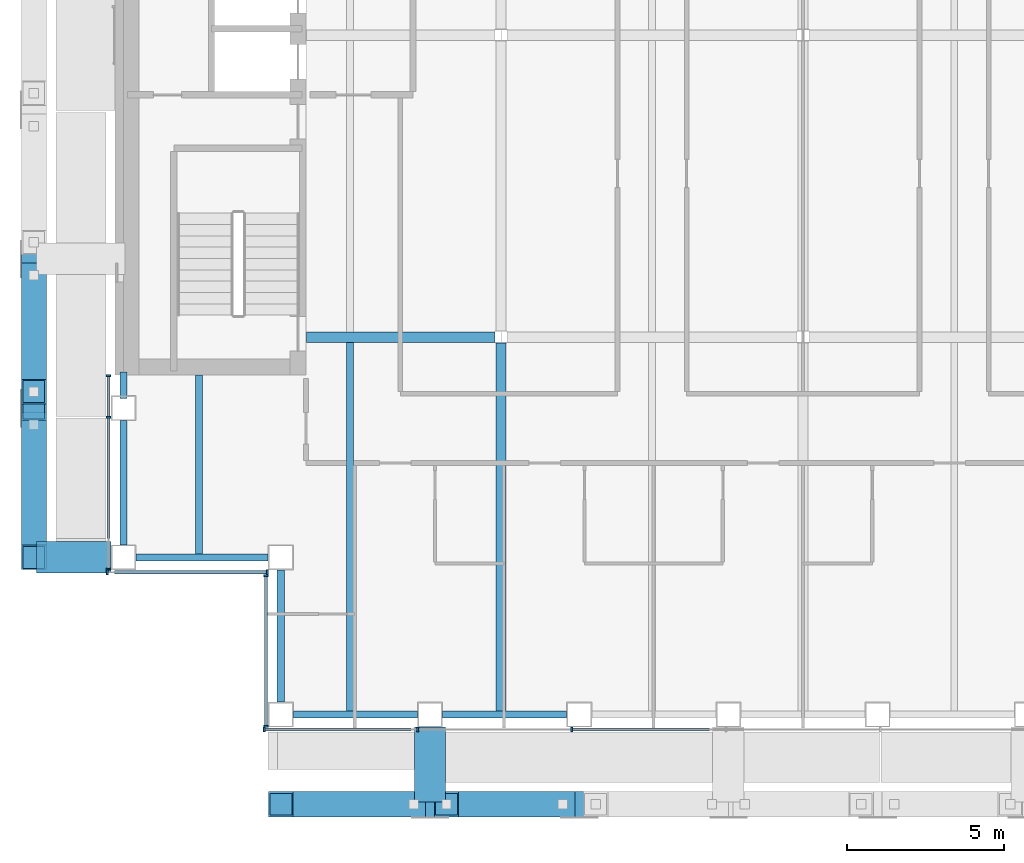
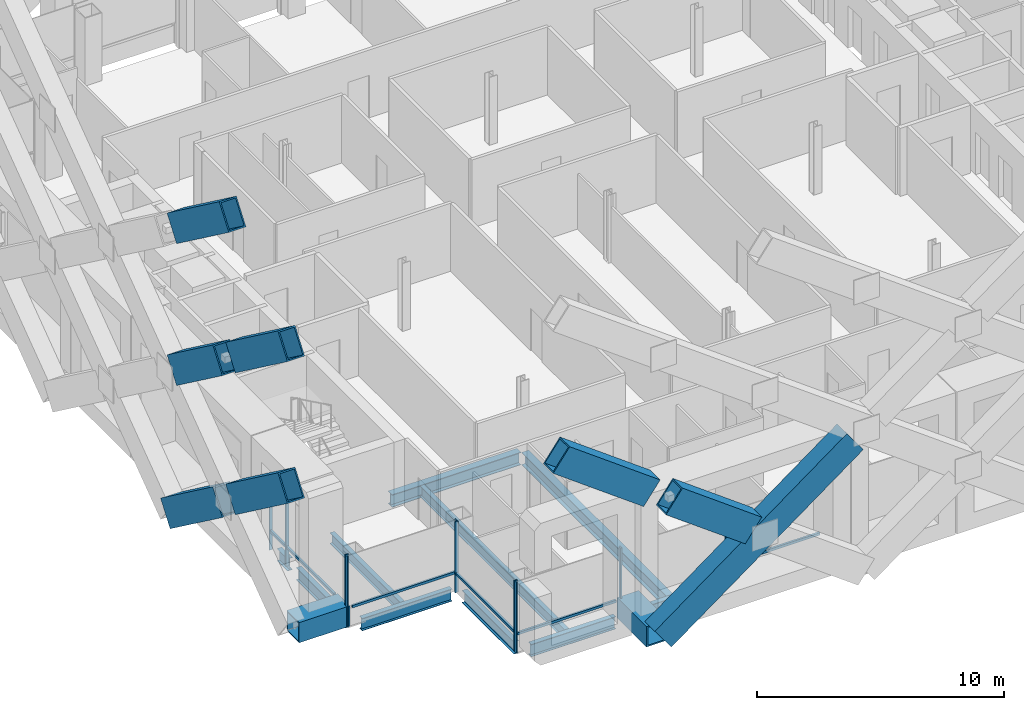
# One storey, part 3 of 25: 24 members, 12 beams, 4 elements without a shape of their own.
"""IFC4 building model written with IfcOpenShell, lengths in metres."""

from ifc_helpers import new_model, si_unit, direction, frame, origin, origin_2d, place, context, subcontext, project, spatial, rectangle, hollow_rectangle, i_section, extrude, material, material_profile, profile_set, type_object, element, aggregate, save


model = new_model("IFC4")

# Units and contexts
model_context = context("Model", 3, precision=1e-05, world=origin(), true_north=direction((0.0, 1.0)))
body_context = subcontext(model_context, "Body", "Model", "MODEL_VIEW")
ifc_project = project(units=[si_unit("LENGTHUNIT", "METRE"), si_unit("AREAUNIT", "SQUARE_METRE"), si_unit("VOLUMEUNIT", "CUBIC_METRE"), si_unit("PLANEANGLEUNIT", "RADIAN"), si_unit("MASSUNIT", "GRAM", prefix="KILO")], contexts=[model_context])

# Site, building, storey
site_placement = place(None, origin())
site = spatial("IfcSite", under=ifc_project, at=site_placement, CompositionType="ELEMENT")
building_placement = place(site_placement, origin())
building = spatial("IfcBuilding", under=site, at=building_placement, Name="Cobrizo Arcos Hotel Tower", CompositionType="ELEMENT")
storey_placement = place(building_placement, frame((0.0, 0.0, 148.0)))
storey = spatial("IfcBuildingStorey", under=building, at=storey_placement, Name="L37", CompositionType="ELEMENT", Elevation=148.0)

# Beams
ifc_material_1 = material(Name="Steel ASTM A572 Grade 50", Category="steel")
ifc_material_profile_1 = material_profile(ifc_material_1, hollow_rectangle(XDim=1.0, YDim=1.0, WallThickness=0.06005859375, at=origin_2d()), Name="BOX 1000X1000X60")
ifc_profile_set_1 = profile_set([ifc_material_profile_1], Name="Steel ASTM A572 Grade 50")
beam_type_1 = type_object("IfcBeamType", Name="BOX 1000X1000X60 brace connector strut", PredefinedType="BEAM", material=ifc_profile_set_1)
for number, where, z_axis, x_axis, name in (
    (1, (-11.857177734375, -21.989990234375, 0.5), (0.0, -1.0, 0.0), (1.0, 0.0, 0.0), "Perimeter brace stub BS1, zone Z3, south face, offset -11.86 m, L37"),
    (2, (-21.989990234375, -16.60009765625, 0.5), (-1.0, 0.0, 0.0), (0.0, -1.0, 0.0), "Perimeter brace stub BS1, zone Z3, west face, offset -16.60 m, L37"),
):
    element("IfcBeam", number, at=place(storey_placement, frame(where, z_axis=z_axis, x_axis=x_axis)), inside=storey, type_object=beam_type_1, Name=name, PredefinedType="BEAM", context=body_context, shape_type="SweptSolid", body=[
        extrude(hollow_rectangle(XDim=1.0, YDim=1.0, WallThickness=0.06005859375, at=origin_2d()), origin(), (0.0, 0.0, 1.0), 2.380126953125),
    ])

# Members
ifc_material_profile_2 = material_profile(ifc_material_1, hollow_rectangle(XDim=0.800048828125, YDim=1.300048828125, WallThickness=0.06005859375, at=origin_2d()), Name="BOX 800X1300X60")
ifc_profile_set_2 = profile_set([ifc_material_profile_2], Name="Steel ASTM A572 Grade 50")
member_type_1 = type_object("IfcMemberType", Name="BOX 800X1300X60 perimeter brace", PredefinedType="BRACE", material=ifc_profile_set_2)
member_1_placement = place(storey_placement, frame((-11.857177734375, -24.449951171875, 0.5), z_axis=(0.804628681962, 0.0, 0.593778312305), x_axis=(0.0, 1.0, 0.0)))
element("IfcMember", 3, at=member_1_placement, inside=storey, type_object=member_type_1, Name="Perimeter brace PBR3, zone Z3, south face, no. 00", PredefinedType="BRACE", context=body_context, shape_type="SweptSolid", body=[
    extrude(hollow_rectangle(XDim=0.800048828125, YDim=1.300048828125, WallThickness=0.06005859375, at=origin_2d()), origin(), (0.0, 0.0, 1.0), 11.138916015625),
])
member_2_placement = place(storey_placement, frame((-7.637451171875, -24.449951171875, 4.385986328125), z_axis=(-0.804612164142, 0.0, 0.593800694943), x_axis=(0.0, -1.0, 0.0)))
element("IfcMember", 4, at=member_2_placement, inside=storey, type_object=member_type_1, Name="Perimeter brace PBR3, zone Z3, south face, no. 01b", PredefinedType="BRACE", context=body_context, shape_type="SweptSolid", body=[
    extrude(hollow_rectangle(XDim=0.800048828125, YDim=1.300048828125, WallThickness=0.06005859375, at=origin_2d()), origin(), (0.0, 0.0, 1.0), 4.59423828125),
])
for number, where, z_axis, x_axis, name in (
    (5, (-12.38037109375, -24.449951171875, 7.885986328125), (-0.804623858684, 0.0, 0.593784848271), (0.0, -1.0, 0.0), "Perimeter brace PBR3, zone Z3, south face, no. 01c"),
    (6, (-24.449951171875, -7.637451171875, 14.885986328125), (0.0, -0.804623858684, 0.593784848271), (1.0, 0.0, 0.0), "Perimeter brace PBR3, zone Z3, west face, no. 00d"),
):
    element("IfcMember", number, at=place(storey_placement, frame(where, z_axis=z_axis, x_axis=x_axis)), inside=storey, type_object=member_type_1, Name=name, PredefinedType="BRACE", context=body_context, shape_type="SweptSolid", body=[
        extrude(hollow_rectangle(XDim=0.800048828125, YDim=1.300048828125, WallThickness=0.06005859375, at=origin_2d()), origin(), (0.0, 0.0, 1.0), 5.244384765625),
    ])
member_3_placement = place(storey_placement, frame((-24.449951171875, -7.637451171875, 7.885986328125), z_axis=(0.0, -0.804612164142, 0.593800694943), x_axis=(1.0, 0.0, 0.0)))
element("IfcMember", 7, at=member_3_placement, inside=storey, type_object=member_type_1, Name="Perimeter brace PBR3, zone Z3, west face, no. 02c", PredefinedType="BRACE", context=body_context, shape_type="SweptSolid", body=[
    extrude(hollow_rectangle(XDim=0.800048828125, YDim=1.300048828125, WallThickness=0.06005859375, at=origin_2d()), origin(), (0.0, 0.0, 1.0), 4.59423828125),
])
for number, where, z_axis, x_axis, name in (
    (8, (-24.449951171875, -12.38037109375, 11.385986328125), (0.0, -0.804623858684, 0.593784848271), (1.0, 0.0, 0.0), "Perimeter brace PBR3, zone Z3, west face, no. 02d"),
    (9, (-24.449951171875, -7.1142578125, 0.5), (0.0, -0.804623858684, 0.593784848271), (1.0, 0.0, 0.0), "Perimeter brace PBR3, zone Z3, west face, no. 04"),
    (10, (-24.449951171875, -12.38037109375, 4.385986328125), (0.0, -0.804623858684, 0.593784848271), (1.0, 0.0, 0.0), "Perimeter brace PBR3, zone Z3, west face, no. 04b"),
):
    element("IfcMember", number, at=place(storey_placement, frame(where, z_axis=z_axis, x_axis=x_axis)), inside=storey, type_object=member_type_1, Name=name, PredefinedType="BRACE", context=body_context, shape_type="SweptSolid", body=[
        extrude(hollow_rectangle(XDim=0.800048828125, YDim=1.300048828125, WallThickness=0.06005859375, at=origin_2d()), origin(), (0.0, 0.0, 1.0), 5.244384765625),
    ])

# Curtain wall, members
ifc_material_2 = material(Name="Aluminium 6063-T6 anodised bronze", Category="aluminium")
curtain_wall_type = type_object("IfcCurtainWallType", Name="CW-A guest facade", PredefinedType="NOTDEFINED", material=ifc_material_2)
curtain_wall_1_placement = place(storey_placement, origin())
curtain_wall_1 = element("IfcCurtainWall", 11, at=curtain_wall_1_placement, inside=storey, type_object=curtain_wall_type, Name="CW-A L37 S face", PredefinedType="NOTDEFINED")
ifc_material_profile_3 = material_profile(ifc_material_2, rectangle(XDim=0.14990234375, YDim=0.06005859375, at=origin_2d()), Name="CW-A mullion 150x60")
ifc_profile_set_3 = profile_set([ifc_material_profile_3], Name="Aluminium 6063-T6 anodised bronze")
member_type_2 = type_object("IfcMemberType", Name="CW-A mullion 150x60", PredefinedType="MULLION", material=ifc_profile_set_3)
member_4_placement = place(storey_placement, frame((-17.1201171875, -22.074951171875, 0.0), z_axis=(0.0, 0.0, 1.0), x_axis=(0.0, -1.0, 0.0)))
member_4 = element("IfcMember", 12, at=member_4_placement, type_object=member_type_2, Name="CW-A mullion 1", PredefinedType="MULLION", context=body_context, shape_type="SweptSolid", body=[
    extrude(rectangle(XDim=0.14990234375, YDim=0.06005859375, at=origin_2d()), origin(), (0.0, 0.0, 1.0), 3.5),
])
member_5_placement = place(storey_placement, frame((-12.25, -22.074951171875, 0.0), z_axis=(0.0, 0.0, 1.0), x_axis=(0.0, -1.0, 0.0)))
member_5 = element("IfcMember", 13, at=member_5_placement, type_object=member_type_2, Name="CW-A mullion 2", PredefinedType="MULLION", context=body_context, shape_type="SweptSolid", body=[
    extrude(rectangle(XDim=0.14990234375, YDim=0.06005859375, at=origin_2d()), origin(), (0.0, 0.0, 1.0), 3.5),
])
member_6_placement = place(storey_placement, frame((-7.35009765625, -22.074951171875, 0.0), z_axis=(0.0, 0.0, 1.0), x_axis=(0.0, -1.0, 0.0)))
member_6 = element("IfcMember", 14, at=member_6_placement, type_object=member_type_2, Name="CW-A mullion 3", PredefinedType="MULLION", context=body_context, shape_type="SweptSolid", body=[
    extrude(rectangle(XDim=0.14990234375, YDim=0.06005859375, at=origin_2d()), origin(), (0.0, 0.0, 1.0), 3.5),
])

curtain_wall_2_placement = place(storey_placement, origin())
curtain_wall_2 = element("IfcCurtainWall", 15, at=curtain_wall_2_placement, inside=storey, type_object=curtain_wall_type, Name="CW-A L37 W face", PredefinedType="NOTDEFINED")
member_7_placement = place(storey_placement, frame((-22.074951171875, -10.830078125, 0.0), z_axis=(0.0, 0.0, 1.0), x_axis=(-1.0, 0.0, 0.0)))
member_7 = element("IfcMember", 16, at=member_7_placement, type_object=member_type_2, Name="CW-A mullion 1", PredefinedType="MULLION", context=body_context, shape_type="SweptSolid", body=[
    extrude(rectangle(XDim=0.14990234375, YDim=0.06005859375, at=origin_2d()), origin(), (0.0, 0.0, 1.0), 3.5),
])
member_8_placement = place(storey_placement, frame((-22.074951171875, -12.142822265625, 0.0), z_axis=(0.0, 0.0, 1.0), x_axis=(-1.0, 0.0, 0.0)))
member_8 = element("IfcMember", 17, at=member_8_placement, type_object=member_type_2, Name="CW-A mullion 2", PredefinedType="MULLION", context=body_context, shape_type="SweptSolid", body=[
    extrude(rectangle(XDim=0.14990234375, YDim=0.06005859375, at=origin_2d()), origin(), (0.0, 0.0, 1.0), 3.5),
])
member_9_placement = place(storey_placement, frame((-22.074951171875, -16.969970703125, 0.0), z_axis=(0.0, 0.0, 1.0), x_axis=(-1.0, 0.0, 0.0)))
member_9 = element("IfcMember", 18, at=member_9_placement, type_object=member_type_2, Name="CW-A mullion 3", PredefinedType="MULLION", context=body_context, shape_type="SweptSolid", body=[
    extrude(rectangle(XDim=0.14990234375, YDim=0.06005859375, at=origin_2d()), origin(), (0.0, 0.0, 1.0), 3.5),
])

curtain_wall_3_placement = place(storey_placement, origin())
curtain_wall_3 = element("IfcCurtainWall", 19, at=curtain_wall_3_placement, inside=storey, type_object=curtain_wall_type, Name="CW-A L37 S face", PredefinedType="NOTDEFINED")
member_10_placement = place(storey_placement, frame((-22.1201171875, -17.074951171875, 0.0), z_axis=(0.0, 0.0, 1.0), x_axis=(0.0, -1.0, 0.0)))
member_10 = element("IfcMember", 20, at=member_10_placement, type_object=member_type_2, Name="CW-A mullion 1", PredefinedType="MULLION", context=body_context, shape_type="SweptSolid", body=[
    extrude(rectangle(XDim=0.14990234375, YDim=0.06005859375, at=origin_2d()), origin(), (0.0, 0.0, 1.0), 3.5),
])
member_11_placement = place(storey_placement, frame((-17.030029296875, -17.074951171875, 0.0), z_axis=(0.0, 0.0, 1.0), x_axis=(0.0, -1.0, 0.0)))
member_11 = element("IfcMember", 21, at=member_11_placement, type_object=member_type_2, Name="CW-A mullion 2", PredefinedType="MULLION", context=body_context, shape_type="SweptSolid", body=[
    extrude(rectangle(XDim=0.14990234375, YDim=0.06005859375, at=origin_2d()), origin(), (0.0, 0.0, 1.0), 3.5),
])

curtain_wall_4_placement = place(storey_placement, origin())
curtain_wall_4 = element("IfcCurtainWall", 22, at=curtain_wall_4_placement, inside=storey, type_object=curtain_wall_type, Name="CW-A L37 W face", PredefinedType="NOTDEFINED")
member_12_placement = place(storey_placement, frame((-17.074951171875, -17.179931640625, 0.0), z_axis=(0.0, 0.0, 1.0), x_axis=(-1.0, 0.0, 0.0)))
member_12 = element("IfcMember", 23, at=member_12_placement, type_object=member_type_2, Name="CW-A mullion 1", PredefinedType="MULLION", context=body_context, shape_type="SweptSolid", body=[
    extrude(rectangle(XDim=0.14990234375, YDim=0.06005859375, at=origin_2d()), origin(), (0.0, 0.0, 1.0), 3.5),
])
member_13_placement = place(storey_placement, frame((-17.074951171875, -21.969970703125, 0.0), z_axis=(0.0, 0.0, 1.0), x_axis=(-1.0, 0.0, 0.0)))
member_13 = element("IfcMember", 24, at=member_13_placement, type_object=member_type_2, Name="CW-A mullion 2", PredefinedType="MULLION", context=body_context, shape_type="SweptSolid", body=[
    extrude(rectangle(XDim=0.14990234375, YDim=0.06005859375, at=origin_2d()), origin(), (0.0, 0.0, 1.0), 3.5),
])

# Member
ifc_material_profile_4 = material_profile(ifc_material_2, rectangle(XDim=0.10009765625, YDim=0.1201171875, at=origin_2d()), Name="CW-A transom 120x100")
ifc_profile_set_4 = profile_set([ifc_material_profile_4], Name="Aluminium 6063-T6 anodised bronze")
member_type_3 = type_object("IfcMemberType", Name="CW-A transom 120x100", PredefinedType="USERDEFINED", material=ifc_profile_set_4)
member_14_placement = place(storey_placement, frame((-17.090087890625, -22.074951171875, 0.929931640625), z_axis=(1.0, 0.0, 0.0), x_axis=(0.0, 1.0, 0.0)))
member_14 = element("IfcMember", 25, at=member_14_placement, type_object=member_type_3, Name="CW-A transom 1336", ObjectType="TRANSOM", PredefinedType="USERDEFINED", context=body_context, shape_type="SweptSolid", body=[
    extrude(rectangle(XDim=0.10009765625, YDim=0.1201171875, at=origin_2d()), origin(), (0.0, 0.0, 1.0), 4.633056640625),
])

member_15_placement = place(storey_placement, frame((-7.320068359375, -22.074951171875, 0.929931640625), z_axis=(1.0, 0.0, 0.0), x_axis=(0.0, 1.0, 0.0)))
member_15 = element("IfcMember", 26, at=member_15_placement, type_object=member_type_3, Name="CW-A transom 1338", ObjectType="TRANSOM", PredefinedType="USERDEFINED", context=body_context, shape_type="SweptSolid", body=[
    extrude(rectangle(XDim=0.10009765625, YDim=0.1201171875, at=origin_2d()), origin(), (0.0, 0.0, 1.0), 4.3486328125),
])

aggregate(curtain_wall_1, [member_4, member_5, member_6, member_14, member_15])

member_16_placement = place(storey_placement, frame((-22.074951171875, -10.860107421875, 0.929931640625), z_axis=(0.0, -1.0, 0.0), x_axis=(1.0, 0.0, 0.0)))
member_16 = element("IfcMember", 27, at=member_16_placement, type_object=member_type_3, Name="CW-A transom 1362", ObjectType="TRANSOM", PredefinedType="USERDEFINED", context=body_context, shape_type="SweptSolid", body=[
    extrude(rectangle(XDim=0.10009765625, YDim=0.1201171875, at=origin_2d()), origin(), (0.0, 0.0, 1.0), 1.252685546875),
])

member_17_placement = place(storey_placement, frame((-22.074951171875, -12.1728515625, 0.929931640625), z_axis=(0.0, -1.0, 0.0), x_axis=(1.0, 0.0, 0.0)))
member_17 = element("IfcMember", 28, at=member_17_placement, type_object=member_type_3, Name="CW-A transom 1363", ObjectType="TRANSOM", PredefinedType="USERDEFINED", context=body_context, shape_type="SweptSolid", body=[
    extrude(rectangle(XDim=0.10009765625, YDim=0.1201171875, at=origin_2d()), origin(), (0.0, 0.0, 1.0), 3.8271484375),
])

aggregate(curtain_wall_2, [member_7, member_8, member_9, member_16, member_17])

member_18_placement = place(storey_placement, frame((-21.889892578125, -17.074951171875, 0.929931640625), z_axis=(1.0, 0.0, 0.0), x_axis=(0.0, 1.0, 0.0)))
member_18 = element("IfcMember", 29, at=member_18_placement, type_object=member_type_3, Name="CW-A transom 1364", ObjectType="TRANSOM", PredefinedType="USERDEFINED", context=body_context, shape_type="SweptSolid", body=[
    extrude(rectangle(XDim=0.10009765625, YDim=0.1201171875, at=origin_2d()), origin(), (0.0, 0.0, 1.0), 4.829833984375),
])

aggregate(curtain_wall_3, [member_10, member_11, member_18])

member_19_placement = place(storey_placement, frame((-17.074951171875, -17.2099609375, 0.929931640625), z_axis=(0.0, -1.0, 0.0), x_axis=(1.0, 0.0, 0.0)))
member_19 = element("IfcMember", 30, at=member_19_placement, type_object=member_type_3, Name="CW-A transom 1365", ObjectType="TRANSOM", PredefinedType="USERDEFINED", context=body_context, shape_type="SweptSolid", body=[
    extrude(rectangle(XDim=0.10009765625, YDim=0.1201171875, at=origin_2d()), origin(), (0.0, 0.0, 1.0), 4.72998046875),
])

aggregate(curtain_wall_4, [member_12, member_13, member_19])

# Beams
ifc_material_3 = material(Name="Steel ASTM A992 Grade 50", Category="steel")
ifc_material_profile_5 = material_profile(ifc_material_3, i_section(OverallWidth=0.209228515625, OverallDepth=0.533447265625, WebThickness=0.01025390625, FlangeThickness=0.015625, at=origin_2d()), Name="W21X62")
ifc_profile_set_5 = profile_set([ifc_material_profile_5], Name="Steel ASTM A992 Grade 50")
beam_type_2 = type_object("IfcBeamType", Name="W21X62 joist", PredefinedType="JOIST", material=ifc_profile_set_5)
beam_1_placement = place(storey_placement, frame((-19.199951171875, -16.510009765625, -0.416748046875), z_axis=(0.0, 1.0, 0.0), x_axis=(-1.0, 0.0, 0.0)))
element("IfcBeam", 31, at=beam_1_placement, inside=storey, type_object=beam_type_2, Name="Floor joist J1, L37, no. 001", PredefinedType="JOIST", context=body_context, shape_type="SweptSolid", body=[
    extrude(i_section(OverallWidth=0.209228515625, OverallDepth=0.533447265625, WebThickness=0.01025390625, FlangeThickness=0.015625, at=origin_2d()), origin(), (0.0, 0.0, 1.0), 5.699951171875),
])
beam_2_placement = place(storey_placement, frame((-14.39990234375, -21.510009765625, -0.416748046875), z_axis=(0.0, 1.0, 0.0), x_axis=(-1.0, 0.0, 0.0)))
element("IfcBeam", 32, at=beam_2_placement, inside=storey, type_object=beam_type_2, Name="Floor joist J1, L37, no. 003", PredefinedType="JOIST", context=body_context, shape_type="SweptSolid", body=[
    extrude(i_section(OverallWidth=0.209228515625, OverallDepth=0.533447265625, WebThickness=0.01025390625, FlangeThickness=0.015625, at=origin_2d()), origin(), (0.0, 0.0, 1.0), 11.74609375),
])
ifc_material_profile_6 = material_profile(ifc_material_3, i_section(OverallWidth=0.32763671875, OverallDepth=0.622314453125, WebThickness=0.015380859375, FlangeThickness=0.0244140625, at=origin_2d()), Name="W24X131")
ifc_profile_set_6 = profile_set([ifc_material_profile_6], Name="Steel ASTM A992 Grade 50")
beam_type_3 = type_object("IfcBeamType", Name="W24X131 girder", PredefinedType="BEAM", material=ifc_profile_set_6)
beam_3_placement = place(storey_placement, frame((-15.7900390625, -9.60009765625, -0.461181640625), z_axis=(1.0, 0.0, 0.0), x_axis=(0.0, 1.0, 0.0)))
element("IfcBeam", 33, at=beam_3_placement, inside=storey, type_object=beam_type_3, Name="Floor girder G1, L37, no. 001", PredefinedType="BEAM", context=body_context, shape_type="SweptSolid", body=[
    extrude(i_section(OverallWidth=0.32763671875, OverallDepth=0.622314453125, WebThickness=0.015380859375, FlangeThickness=0.0244140625, at=origin_2d()), origin(), (0.0, 0.0, 1.0), 6.00341796875),
])
beam_4_placement = place(storey_placement, frame((-9.60009765625, -21.510009765625, -0.461181640625), z_axis=(0.0, 1.0, 0.0), x_axis=(-1.0, 0.0, 0.0)))
element("IfcBeam", 34, at=beam_4_placement, inside=storey, type_object=beam_type_3, Name="Floor girder G1, L37, no. 013", PredefinedType="BEAM", context=body_context, shape_type="SweptSolid", body=[
    extrude(i_section(OverallWidth=0.32763671875, OverallDepth=0.622314453125, WebThickness=0.015380859375, FlangeThickness=0.0244140625, at=origin_2d()), origin(), (0.0, 0.0, 1.0), 11.723388671875),
])
ifc_material_profile_7 = material_profile(ifc_material_3, i_section(OverallWidth=0.228271484375, OverallDepth=0.607177734375, WebThickness=0.01123046875, FlangeThickness=0.017333984375, at=origin_2d()), Name="W24X76")
ifc_profile_set_7 = profile_set([ifc_material_profile_7], Name="Steel ASTM A992 Grade 50")
beam_type_4 = type_object("IfcBeamType", Name="W24X76 spandrel", PredefinedType="SPANDREL", material=ifc_profile_set_7)
beam_5_placement = place(storey_placement, frame((-16.199951171875, -21.60009765625, -0.45361328125), z_axis=(1.0, 0.0, 0.0), x_axis=(0.0, 1.0, 0.0)))
element("IfcBeam", 35, at=beam_5_placement, inside=storey, type_object=beam_type_4, Name="Spandrel beam W24X76, L37, no. 001", PredefinedType="SPANDREL", context=body_context, shape_type="SweptSolid", body=[
    extrude(i_section(OverallWidth=0.228271484375, OverallDepth=0.607177734375, WebThickness=0.01123046875, FlangeThickness=0.017333984375, at=origin_2d()), origin(), (0.0, 0.0, 1.0), 3.94287109375),
])
beam_6_placement = place(storey_placement, frame((-11.45703125, -21.60009765625, -0.45361328125), z_axis=(1.0, 0.0, 0.0), x_axis=(0.0, 1.0, 0.0)))
element("IfcBeam", 36, at=beam_6_placement, inside=storey, type_object=beam_type_4, Name="Spandrel beam W24X76, L37, no. 002", PredefinedType="SPANDREL", context=body_context, shape_type="SweptSolid", body=[
    extrude(i_section(OverallWidth=0.228271484375, OverallDepth=0.607177734375, WebThickness=0.01123046875, FlangeThickness=0.017333984375, at=origin_2d()), origin(), (0.0, 0.0, 1.0), 3.943115234375),
])
beam_7_placement = place(storey_placement, frame((-21.60009765625, -10.7099609375, -0.45361328125), z_axis=(0.0, -1.0, 0.0), x_axis=(1.0, 0.0, 0.0)))
element("IfcBeam", 37, at=beam_7_placement, inside=storey, type_object=beam_type_4, Name="Spandrel beam W24X76, L37, no. 027", PredefinedType="SPANDREL", context=body_context, shape_type="SweptSolid", body=[
    extrude(i_section(OverallWidth=0.228271484375, OverallDepth=0.607177734375, WebThickness=0.01123046875, FlangeThickness=0.017333984375, at=origin_2d()), origin(), (0.0, 0.0, 1.0), 0.846923828125),
])
beam_8_placement = place(storey_placement, frame((-21.60009765625, -12.257080078125, -0.45361328125), z_axis=(0.0, -1.0, 0.0), x_axis=(1.0, 0.0, 0.0)))
element("IfcBeam", 38, at=beam_8_placement, inside=storey, type_object=beam_type_4, Name="Spandrel beam W24X76, L37, no. 028", PredefinedType="SPANDREL", context=body_context, shape_type="SweptSolid", body=[
    extrude(i_section(OverallWidth=0.228271484375, OverallDepth=0.607177734375, WebThickness=0.01123046875, FlangeThickness=0.017333984375, at=origin_2d()), origin(), (0.0, 0.0, 1.0), 3.94287109375),
])
for number, where, z_axis, x_axis, name in (
    (39, (-21.199951171875, -16.60009765625, -0.45361328125), (1.0, 0.0, 0.0), (0.0, 1.0, 0.0), "Spandrel beam W24X76, L37, no. 029"),
    (40, (-16.60009765625, -17.0, -0.45361328125), (0.0, -1.0, 0.0), (1.0, 0.0, 0.0), "Spandrel beam W24X76, L37, no. 030"),
):
    element("IfcBeam", number, at=place(storey_placement, frame(where, z_axis=z_axis, x_axis=x_axis)), inside=storey, type_object=beam_type_4, Name=name, PredefinedType="SPANDREL", context=body_context, shape_type="SweptSolid", body=[
        extrude(i_section(OverallWidth=0.228271484375, OverallDepth=0.607177734375, WebThickness=0.01123046875, FlangeThickness=0.017333984375, at=origin_2d()), origin(), (0.0, 0.0, 1.0), 4.199951171875),
    ])

save(model, "model.ifc")
